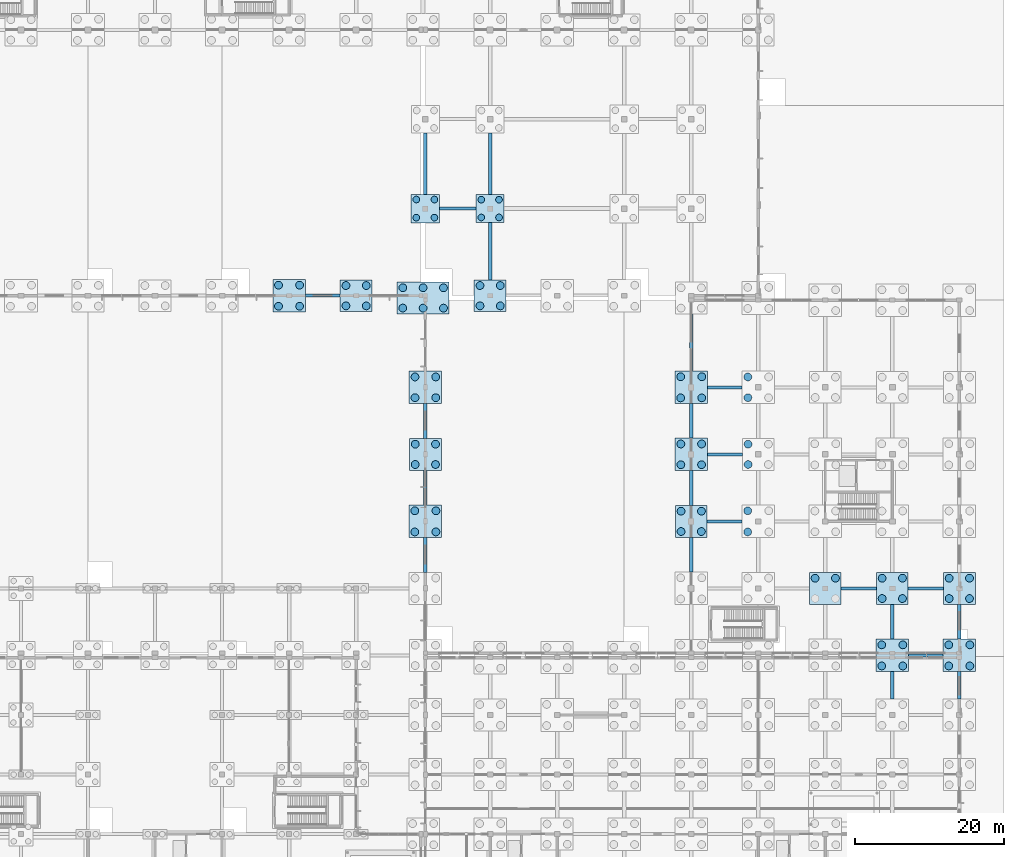
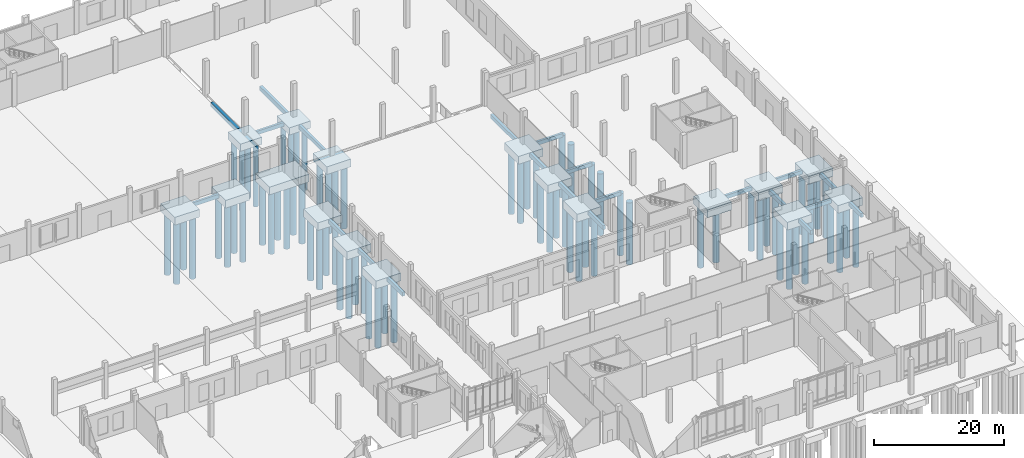
# One storey, part 18 of 99: 74 piles, 39 footings.
"""IFC4 building model written with IfcOpenShell, lengths in metres."""

from ifc_helpers import new_model, si_unit, direction, frame, origin, origin_2d, place, context, subcontext, project, spatial, rectangle, circle, extrude, material, layer, layer_set, material_profile, profile_set, type_object, element, save


model = new_model("IFC4")

# Units and contexts
model_context = context("Model", 3, precision=1e-05, world=origin(), true_north=direction((0.0, 1.0)))
body_context = subcontext(model_context, "Body", "Model", "MODEL_VIEW")
ifc_project = project(units=[si_unit("LENGTHUNIT", "METRE"), si_unit("AREAUNIT", "SQUARE_METRE"), si_unit("VOLUMEUNIT", "CUBIC_METRE"), si_unit("PLANEANGLEUNIT", "RADIAN"), si_unit("MASSUNIT", "GRAM", prefix="KILO")], contexts=[model_context])

# Site, building, storey
site_placement = place(None, origin())
site = spatial("IfcSite", under=ifc_project, at=site_placement, CompositionType="ELEMENT")
building_placement = place(site_placement, origin())
building = spatial("IfcBuilding", under=site, at=building_placement, Name="Zacnel Wholesale Market", CompositionType="ELEMENT")
storey_placement = place(building_placement, origin())
storey = spatial("IfcBuildingStorey", under=building, at=storey_placement, Name="L01", CompositionType="ELEMENT", Elevation=0.0)

# Footings
ifc_material_1 = material(Name="Concrete C35/45", Category="concrete")
ifc_material_profile_1 = material_profile(ifc_material_1, rectangle(XDim=0.39990234375, YDim=0.699951171875, at=origin_2d()), Name="CT 400x700")
ifc_profile_set_1 = profile_set([ifc_material_profile_1], Name="Concrete C35/45")
footing_type_1 = type_object("IfcFootingType", Name="FTG-CT400X700", PredefinedType="FOOTING_BEAM", material=ifc_profile_set_1)
footing_1_placement = place(storey_placement, frame((209.18994140625, 48.0, -0.85009765625), z_axis=(1.0, 0.0, 0.0), x_axis=(0.0, 1.0, 0.0)))
element("IfcFooting", 1, at=footing_1_placement, inside=storey, type_object=footing_type_1, Name="Ground tie beam CT-X-0380", PredefinedType="FOOTING_BEAM", context=body_context, shape_type="SweptSolid", body=[
    extrude(rectangle(XDim=0.39990234375, YDim=0.699951171875, at=origin_2d()), origin(), (0.0, 0.0, 1.0), 4.6201171875),
])
for number, where, z_axis, x_axis, name in (
    (2, (200.139892578125, 57.0, -0.85009765625), (1.0, 0.0, 0.0), (0.0, 1.0, 0.0), "Ground tie beam CT-X-0399"),
    (3, (209.139892578125, 57.0, -0.85009765625), (1.0, 0.0, 0.0), (0.0, 1.0, 0.0), "Ground tie beam CT-X-0400"),
):
    element("IfcFooting", number, at=place(storey_placement, frame(where, z_axis=z_axis, x_axis=x_axis)), inside=storey, type_object=footing_type_1, Name=name, PredefinedType="FOOTING_BEAM", context=body_context, shape_type="SweptSolid", body=[
        extrude(rectangle(XDim=0.39990234375, YDim=0.699951171875, at=origin_2d()), origin(), (0.0, 0.0, 1.0), 4.72021484375),
    ])
footing_2_placement = place(storey_placement, frame((182.139892578125, 66.0, -0.85009765625), z_axis=(1.0, 0.0, 0.0), x_axis=(0.0, 1.0, 0.0)))
element("IfcFooting", 4, at=footing_2_placement, inside=storey, type_object=footing_type_1, Name="Ground tie beam CT-X-0408", PredefinedType="FOOTING_BEAM", context=body_context, shape_type="SweptSolid", body=[
    extrude(rectangle(XDim=0.39990234375, YDim=0.699951171875, at=origin_2d()), origin(), (0.0, 0.0, 1.0), 4.670166015625),
])
footing_3_placement = place(storey_placement, frame((182.1650390625, 75.0, -0.85009765625), z_axis=(1.0, 0.0, 0.0), x_axis=(0.0, 1.0, 0.0)))
element("IfcFooting", 5, at=footing_3_placement, inside=storey, type_object=footing_type_1, Name="Ground tie beam CT-X-0417", PredefinedType="FOOTING_BEAM", context=body_context, shape_type="SweptSolid", body=[
    extrude(rectangle(XDim=0.39990234375, YDim=0.699951171875, at=origin_2d()), origin(), (0.0, 0.0, 1.0), 4.695068359375),
])
footing_4_placement = place(storey_placement, frame((182.18994140625, 84.0, -0.85009765625), z_axis=(1.0, 0.0, 0.0), x_axis=(0.0, 1.0, 0.0)))
element("IfcFooting", 6, at=footing_4_placement, inside=storey, type_object=footing_type_1, Name="Ground tie beam CT-X-0428", PredefinedType="FOOTING_BEAM", context=body_context, shape_type="SweptSolid", body=[
    extrude(rectangle(XDim=0.39990234375, YDim=0.699951171875, at=origin_2d()), origin(), (0.0, 0.0, 1.0), 4.64501953125),
])
footing_5_placement = place(storey_placement, frame((128.18994140625, 96.300048828125, -0.85009765625), z_axis=(1.0, 0.0, 0.0), x_axis=(0.0, 1.0, 0.0)))
element("IfcFooting", 7, at=footing_5_placement, inside=storey, type_object=footing_type_1, Name="Ground tie beam CT-X-0448", PredefinedType="FOOTING_BEAM", context=body_context, shape_type="SweptSolid", body=[
    extrude(rectangle(XDim=0.39990234375, YDim=0.699951171875, at=origin_2d()), origin(), (0.0, 0.0, 1.0), 4.670166015625),
])
footing_6_placement = place(storey_placement, frame((146.215087890625, 108.0, -0.85009765625), z_axis=(1.0, 0.0, 0.0), x_axis=(0.0, 1.0, 0.0)))
element("IfcFooting", 8, at=footing_6_placement, inside=storey, type_object=footing_type_1, Name="Ground tie beam CT-X-0458", PredefinedType="FOOTING_BEAM", context=body_context, shape_type="SweptSolid", body=[
    extrude(rectangle(XDim=0.39990234375, YDim=0.699951171875, at=origin_2d()), origin(), (0.0, 0.0, 1.0), 4.89501953125),
])
ifc_material_2 = material(Name="Concrete C35/45", Category="concrete")
ifc_material_profile_2 = material_profile(ifc_material_2, rectangle(XDim=0.449951171875, YDim=0.75, at=origin_2d()), Name="CT 450x750")
ifc_profile_set_2 = profile_set([ifc_material_profile_2], Name="Concrete C35/45")
footing_type_2 = type_object("IfcFootingType", Name="FTG-CT450X750", PredefinedType="FOOTING_BEAM", material=ifc_profile_set_2)
footing_7_placement = place(storey_placement, frame((144.300048828125, 59.1650390625, -0.875), z_axis=(0.0, 1.0, 0.0), x_axis=(-1.0, 0.0, 0.0)))
element("IfcFooting", 9, at=footing_7_placement, inside=storey, type_object=footing_type_2, Name="Ground tie beam CT-Y-0150", PredefinedType="FOOTING_BEAM", context=body_context, shape_type="SweptSolid", body=[
    extrude(rectangle(XDim=0.449951171875, YDim=0.75, at=origin_2d()), origin(), (0.0, 0.0, 1.0), 4.64501953125),
])
footing_8_placement = place(storey_placement, frame((144.300048828125, 68.18994140625, -0.875), z_axis=(0.0, 1.0, 0.0), x_axis=(-1.0, 0.0, 0.0)))
element("IfcFooting", 10, at=footing_8_placement, inside=storey, type_object=footing_type_2, Name="Ground tie beam CT-Y-0151", PredefinedType="FOOTING_BEAM", context=body_context, shape_type="SweptSolid", body=[
    extrude(rectangle(XDim=0.449951171875, YDim=0.75, at=origin_2d()), origin(), (0.0, 0.0, 1.0), 4.670166015625),
])
footing_9_placement = place(storey_placement, frame((144.300048828125, 77.139892578125, -0.875), z_axis=(0.0, 1.0, 0.0), x_axis=(-1.0, 0.0, 0.0)))
element("IfcFooting", 11, at=footing_9_placement, inside=storey, type_object=footing_type_2, Name="Ground tie beam CT-Y-0152", PredefinedType="FOOTING_BEAM", context=body_context, shape_type="SweptSolid", body=[
    extrude(rectangle(XDim=0.449951171875, YDim=0.75, at=origin_2d()), origin(), (0.0, 0.0, 1.0), 4.695068359375),
])
footing_10_placement = place(storey_placement, frame((153.0, 98.43994140625, -0.875), z_axis=(0.0, 1.0, 0.0), x_axis=(-1.0, 0.0, 0.0)))
element("IfcFooting", 12, at=footing_10_placement, inside=storey, type_object=footing_type_2, Name="Ground tie beam CT-Y-0160", PredefinedType="FOOTING_BEAM", context=body_context, shape_type="SweptSolid", body=[
    extrude(rectangle(XDim=0.449951171875, YDim=0.75, at=origin_2d()), origin(), (0.0, 0.0, 1.0), 7.670166015625),
])
footing_11_placement = place(storey_placement, frame((180.0, 59.18994140625, -0.875), z_axis=(0.0, 1.0, 0.0), x_axis=(-1.0, 0.0, 0.0)))
element("IfcFooting", 13, at=footing_11_placement, inside=storey, type_object=footing_type_2, Name="Ground tie beam CT-Y-0187", PredefinedType="FOOTING_BEAM", context=body_context, shape_type="SweptSolid", body=[
    extrude(rectangle(XDim=0.449951171875, YDim=0.75, at=origin_2d()), origin(), (0.0, 0.0, 1.0), 4.670166015625),
])
footing_12_placement = place(storey_placement, frame((180.0, 68.139892578125, -0.875), z_axis=(0.0, 1.0, 0.0), x_axis=(-1.0, 0.0, 0.0)))
element("IfcFooting", 14, at=footing_12_placement, inside=storey, type_object=footing_type_2, Name="Ground tie beam CT-Y-0188", PredefinedType="FOOTING_BEAM", context=body_context, shape_type="SweptSolid", body=[
    extrude(rectangle(XDim=0.449951171875, YDim=0.75, at=origin_2d()), origin(), (0.0, 0.0, 1.0), 4.695068359375),
])
footing_13_placement = place(storey_placement, frame((180.0, 77.1650390625, -0.875), z_axis=(0.0, 1.0, 0.0), x_axis=(-1.0, 0.0, 0.0)))
element("IfcFooting", 15, at=footing_13_placement, inside=storey, type_object=footing_type_2, Name="Ground tie beam CT-Y-0189", PredefinedType="FOOTING_BEAM", context=body_context, shape_type="SweptSolid", body=[
    extrude(rectangle(XDim=0.449951171875, YDim=0.75, at=origin_2d()), origin(), (0.0, 0.0, 1.0), 4.64501953125),
])
footing_14_placement = place(storey_placement, frame((180.0, 86.18994140625, -0.875), z_axis=(0.0, 1.0, 0.0), x_axis=(-1.0, 0.0, 0.0)))
element("IfcFooting", 16, at=footing_14_placement, inside=storey, type_object=footing_type_2, Name="Ground tie beam CT-Y-0190", PredefinedType="FOOTING_BEAM", context=body_context, shape_type="SweptSolid", body=[
    extrude(rectangle(XDim=0.449951171875, YDim=0.75, at=origin_2d()), origin(), (0.0, 0.0, 1.0), 7.670166015625),
])
footing_15_placement = place(storey_placement, frame((207.0, 42.1650390625, -0.875), z_axis=(0.0, 1.0, 0.0), x_axis=(-1.0, 0.0, 0.0)))
element("IfcFooting", 17, at=footing_15_placement, inside=storey, type_object=footing_type_2, Name="Ground tie beam CT-Y-0221", PredefinedType="FOOTING_BEAM", context=body_context, shape_type="SweptSolid", body=[
    extrude(rectangle(XDim=0.449951171875, YDim=0.75, at=origin_2d()), origin(), (0.0, 0.0, 1.0), 3.64501953125),
])
footing_16_placement = place(storey_placement, frame((207.0, 50.18994140625, -0.875), z_axis=(0.0, 1.0, 0.0), x_axis=(-1.0, 0.0, 0.0)))
element("IfcFooting", 18, at=footing_16_placement, inside=storey, type_object=footing_type_2, Name="Ground tie beam CT-Y-0222", PredefinedType="FOOTING_BEAM", context=body_context, shape_type="SweptSolid", body=[
    extrude(rectangle(XDim=0.449951171875, YDim=0.75, at=origin_2d()), origin(), (0.0, 0.0, 1.0), 4.670166015625),
])
footing_17_placement = place(storey_placement, frame((216.0, 42.1650390625, -0.875), z_axis=(0.0, 1.0, 0.0), x_axis=(-1.0, 0.0, 0.0)))
element("IfcFooting", 19, at=footing_17_placement, inside=storey, type_object=footing_type_2, Name="Ground tie beam CT-Y-0232", PredefinedType="FOOTING_BEAM", context=body_context, shape_type="SweptSolid", body=[
    extrude(rectangle(XDim=0.449951171875, YDim=0.75, at=origin_2d()), origin(), (0.0, 0.0, 1.0), 3.64501953125),
])
footing_18_placement = place(storey_placement, frame((216.0, 50.18994140625, -0.875), z_axis=(0.0, 1.0, 0.0), x_axis=(-1.0, 0.0, 0.0)))
element("IfcFooting", 20, at=footing_18_placement, inside=storey, type_object=footing_type_2, Name="Ground tie beam CT-Y-0233", PredefinedType="FOOTING_BEAM", context=body_context, shape_type="SweptSolid", body=[
    extrude(rectangle(XDim=0.449951171875, YDim=0.75, at=origin_2d()), origin(), (0.0, 0.0, 1.0), 4.670166015625),
])
ifc_material_3 = material(Name="Concrete C35/45", Category="concrete")
ifc_material_profile_3 = material_profile(ifc_material_3, rectangle(XDim=0.5, YDim=0.800048828125, at=origin_2d()), Name="CT 500x800")
ifc_profile_set_3 = profile_set([ifc_material_profile_3], Name="Concrete C35/45")
footing_type_3 = type_object("IfcFootingType", Name="FTG-CT500X800", PredefinedType="FOOTING_BEAM", material=ifc_profile_set_3)
footing_19_placement = place(storey_placement, frame((144.300048828125, 109.9150390625, -0.89990234375), z_axis=(0.0, 1.0, 0.0), x_axis=(-1.0, 0.0, 0.0)))
element("IfcFooting", 21, at=footing_19_placement, inside=storey, type_object=footing_type_3, Name="Ground tie beam CT-Y-0153", PredefinedType="FOOTING_BEAM", context=body_context, shape_type="SweptSolid", body=[
    extrude(rectangle(XDim=0.5, YDim=0.800048828125, at=origin_2d()), origin(), (0.0, 0.0, 1.0), 8.21484375),
])
footing_20_placement = place(storey_placement, frame((153.0, 109.889892578125, -0.89990234375), z_axis=(0.0, 1.0, 0.0), x_axis=(-1.0, 0.0, 0.0)))
element("IfcFooting", 22, at=footing_20_placement, inside=storey, type_object=footing_type_3, Name="Ground tie beam CT-Y-0161", PredefinedType="FOOTING_BEAM", context=body_context, shape_type="SweptSolid", body=[
    extrude(rectangle(XDim=0.5, YDim=0.800048828125, at=origin_2d()), origin(), (0.0, 0.0, 1.0), 8.239990234375),
])
ifc_material_4 = material(Name="Concrete C35/45", Category="concrete")
ifc_layer_1 = layer(ifc_material_4, 1.35009765625)
ifc_layer_set_1 = layer_set([ifc_layer_1], Name="Concrete C35/45")
footing_type_4 = type_object("IfcFootingType", Name="FTG-PC-3780X3780X1350", PredefinedType="PILE_CAP", material=ifc_layer_set_1)
footing_21_placement = place(storey_placement, frame((153.0, 108.0, -1.85009765625), z_axis=(0.0, 0.0, 1.0), x_axis=(1.0, 0.0, 0.0)))
element("IfcFooting", 23, at=footing_21_placement, inside=storey, type_object=footing_type_4, Name="Pile cap PC-04 (STR-PC-R2-XDR1)", PredefinedType="PILE_CAP", context=body_context, shape_type="SweptSolid", body=[
    extrude(rectangle(XDim=3.780029296875, YDim=3.780029296875, at=origin_2d()), origin(), (0.0, 0.0, 1.0), 1.35009765625),
])
ifc_material_5 = material(Name="Concrete C35/45", Category="concrete")
ifc_layer_2 = layer(ifc_material_5, 1.35009765625)
ifc_layer_set_2 = layer_set([ifc_layer_2], Name="Concrete C35/45")
footing_type_5 = type_object("IfcFootingType", Name="FTG-PC-3830X3830X1350", PredefinedType="PILE_CAP", material=ifc_layer_set_2)
footing_22_placement = place(storey_placement, frame((144.300048828125, 108.0, -1.85009765625), z_axis=(0.0, 0.0, 1.0), x_axis=(1.0, 0.0, 0.0)))
element("IfcFooting", 24, at=footing_22_placement, inside=storey, type_object=footing_type_5, Name="Pile cap PC-02 (STR-PC-R2-XDR5)", PredefinedType="PILE_CAP", context=body_context, shape_type="SweptSolid", body=[
    extrude(rectangle(XDim=3.830078125, YDim=3.830078125, at=origin_2d()), origin(), (0.0, 0.0, 1.0), 1.35009765625),
])
ifc_material_6 = material(Name="Concrete C35/45", Category="concrete")
ifc_layer_3 = layer(ifc_material_6, 1.449951171875)
ifc_layer_set_3 = layer_set([ifc_layer_3], Name="Concrete C35/45")
footing_type_6 = type_object("IfcFootingType", Name="FTG-PC-4280X4280X1450", PredefinedType="PILE_CAP", material=ifc_layer_set_3)
for number, where, z_axis, x_axis, name in (
    (25, (135.0, 96.300048828125, -1.9501953125), (0.0, 0.0, 1.0), (1.0, 0.0, 0.0), "Pile cap PC-16 (STR-PC-195)"),
    (26, (153.0, 96.300048828125, -1.9501953125), (0.0, 0.0, 1.0), (1.0, 0.0, 0.0), "Pile cap PC-16 (STR-PC-219)"),
    (27, (180.0, 66.0, -1.9501953125), (0.0, 0.0, 1.0), (1.0, 0.0, 0.0), "Pile cap PC-16 (STR-PC-249)"),
):
    element("IfcFooting", number, at=place(storey_placement, frame(where, z_axis=z_axis, x_axis=x_axis)), inside=storey, type_object=footing_type_6, Name=name, PredefinedType="PILE_CAP", context=body_context, shape_type="SweptSolid", body=[
        extrude(rectangle(XDim=4.280029296875, YDim=4.280029296875, at=origin_2d()), origin(), (0.0, 0.0, 1.0), 1.449951171875),
    ])
ifc_material_7 = material(Name="Concrete C35/45", Category="concrete")
ifc_layer_4 = layer(ifc_material_7, 1.5)
ifc_layer_set_4 = layer_set([ifc_layer_4], Name="Concrete C35/45")
footing_type_7 = type_object("IfcFootingType", Name="FTG-PC-4280X4280X1500", PredefinedType="PILE_CAP", material=ifc_layer_set_4)
for number, where, z_axis, x_axis, name in (
    (28, (144.300048828125, 75.0, -2.0), (0.0, 0.0, 1.0), (1.0, 0.0, 0.0), "Pile cap PC-15 (STR-PC-210)"),
    (29, (198.0, 57.0, -2.0), (0.0, 0.0, 1.0), (1.0, 0.0, 0.0), "Pile cap PC-15 (STR-PC-276)"),
    (30, (207.0, 57.0, -2.0), (0.0, 0.0, 1.0), (1.0, 0.0, 0.0), "Pile cap PC-15 (STR-PC-288)"),
    (31, (216.0, 57.0, -2.0), (0.0, 0.0, 1.0), (1.0, 0.0, 0.0), "Pile cap PC-15 (STR-PC-300)"),
):
    element("IfcFooting", number, at=place(storey_placement, frame(where, z_axis=z_axis, x_axis=x_axis)), inside=storey, type_object=footing_type_7, Name=name, PredefinedType="PILE_CAP", context=body_context, shape_type="SweptSolid", body=[
        extrude(rectangle(XDim=4.280029296875, YDim=4.280029296875, at=origin_2d()), origin(), (0.0, 0.0, 1.0), 1.5),
    ])
ifc_material_8 = material(Name="Concrete C35/45", Category="concrete")
ifc_layer_5 = layer(ifc_material_8, 1.449951171875)
ifc_layer_set_5 = layer_set([ifc_layer_5], Name="Concrete C35/45")
footing_type_8 = type_object("IfcFootingType", Name="FTG-PC-4330X4330X1450", PredefinedType="PILE_CAP", material=ifc_layer_set_5)
footing_23_placement = place(storey_placement, frame((144.300048828125, 84.0, -1.9501953125), z_axis=(0.0, 0.0, 1.0), x_axis=(1.0, 0.0, 0.0)))
element("IfcFooting", 32, at=footing_23_placement, inside=storey, type_object=footing_type_8, Name="Pile cap PC-19 (STR-PC-211)", PredefinedType="PILE_CAP", context=body_context, shape_type="SweptSolid", body=[
    extrude(rectangle(XDim=4.330078125, YDim=4.330078125, at=origin_2d()), origin(), (0.0, 0.0, 1.0), 1.449951171875),
])
ifc_material_9 = material(Name="Concrete C35/45", Category="concrete")
ifc_layer_6 = layer(ifc_material_9, 1.5)
ifc_layer_set_6 = layer_set([ifc_layer_6], Name="Concrete C35/45")
footing_type_9 = type_object("IfcFootingType", Name="FTG-PC-4330X4330X1500", PredefinedType="PILE_CAP", material=ifc_layer_set_6)
footing_24_placement = place(storey_placement, frame((180.0, 75.0, -2.0), z_axis=(0.0, 0.0, 1.0), x_axis=(1.0, 0.0, 0.0)))
element("IfcFooting", 33, at=footing_24_placement, inside=storey, type_object=footing_type_9, Name="Pile cap PC-17 (STR-PC-250)", PredefinedType="PILE_CAP", context=body_context, shape_type="SweptSolid", body=[
    extrude(rectangle(XDim=4.330078125, YDim=4.330078125, at=origin_2d()), origin(), (0.0, 0.0, 1.0), 1.5),
])
ifc_material_10 = material(Name="Concrete C35/45", Category="concrete")
ifc_layer_7 = layer(ifc_material_10, 1.449951171875)
ifc_layer_set_7 = layer_set([ifc_layer_7], Name="Concrete C35/45")
footing_type_10 = type_object("IfcFootingType", Name="FTG-PC-4380X4380X1450", PredefinedType="PILE_CAP", material=ifc_layer_set_7)
for number, where, z_axis, x_axis, name in (
    (34, (126.0, 96.300048828125, -1.9501953125), (0.0, 0.0, 1.0), (1.0, 0.0, 0.0), "Pile cap PC-14 (STR-PC-185)"),
    (35, (144.300048828125, 66.0, -1.9501953125), (0.0, 0.0, 1.0), (1.0, 0.0, 0.0), "Pile cap PC-14 (STR-PC-209)"),
    (36, (180.0, 84.0, -1.9501953125), (0.0, 0.0, 1.0), (1.0, 0.0, 0.0), "Pile cap PC-14 (STR-PC-251)"),
    (37, (207.0, 48.0, -1.9501953125), (0.0, 0.0, 1.0), (1.0, 0.0, 0.0), "Pile cap PC-14 (STR-PC-287)"),
    (38, (216.0, 48.0, -1.9501953125), (0.0, 0.0, 1.0), (1.0, 0.0, 0.0), "Pile cap PC-14 (STR-PC-299)"),
):
    element("IfcFooting", number, at=place(storey_placement, frame(where, z_axis=z_axis, x_axis=x_axis)), inside=storey, type_object=footing_type_10, Name=name, PredefinedType="PILE_CAP", context=body_context, shape_type="SweptSolid", body=[
        extrude(rectangle(XDim=4.3798828125, YDim=4.3798828125, at=origin_2d()), origin(), (0.0, 0.0, 1.0), 1.449951171875),
    ])
ifc_material_11 = material(Name="Concrete C35/45", Category="concrete")
ifc_layer_8 = layer(ifc_material_11, 1.449951171875)
ifc_layer_set_8 = layer_set([ifc_layer_8], Name="Concrete C35/45")
footing_type_11 = type_object("IfcFootingType", Name="FTG-PC-7010X4280X1450", PredefinedType="PILE_CAP", material=ifc_layer_set_8)
footing_25_placement = place(storey_placement, frame((144.0, 96.0, -1.9501953125), z_axis=(0.0, 0.0, 1.0), x_axis=(1.0, 0.0, 0.0)))
element("IfcFooting", 39, at=footing_25_placement, inside=storey, type_object=footing_type_11, Name="Pile cap PC-20 (STR-PC-201)", PredefinedType="PILE_CAP", context=body_context, shape_type="SweptSolid", body=[
    extrude(rectangle(XDim=7.010009765625, YDim=4.280029296875, at=origin_2d()), origin(), (0.0, 0.0, 1.0), 1.449951171875),
])

# Piles
ifc_material_12 = material(Name="Concrete C35/45", Category="concrete")
ifc_material_profile_4 = material_profile(ifc_material_12, circle(Radius=0.52490234375, at=origin_2d()), Name="BORED PILE D1050")
ifc_profile_set_4 = profile_set([ifc_material_profile_4], Name="Concrete C35/45")
pile_type_1 = type_object("IfcPileType", Name="PILE-BORED-1050", PredefinedType="BORED", material=ifc_profile_set_4)
for number, where, z_axis, x_axis, name in (
    (40, (124.58251953125, 94.882568359375, -1.85009765625), (0.0, 0.0, -1.0), (1.0, 0.0, 0.0), "Bored pile STR-PILE-185-01"),
    (41, (124.58251953125, 97.717529296875, -1.85009765625), (0.0, 0.0, -1.0), (1.0, 0.0, 0.0), "Bored pile STR-PILE-185-02"),
    (42, (127.41748046875, 94.882568359375, -1.85009765625), (0.0, 0.0, -1.0), (1.0, 0.0, 0.0), "Bored pile STR-PILE-185-03"),
    (43, (127.41748046875, 97.717529296875, -1.85009765625), (0.0, 0.0, -1.0), (1.0, 0.0, 0.0), "Bored pile STR-PILE-185-04"),
    (44, (133.635009765625, 94.93505859375, -1.85009765625), (0.0, 0.0, -1.0), (1.0, 0.0, 0.0), "Bored pile STR-PILE-195-01"),
    (45, (133.635009765625, 97.6650390625, -1.85009765625), (0.0, 0.0, -1.0), (1.0, 0.0, 0.0), "Bored pile STR-PILE-195-02"),
    (46, (136.364990234375, 94.93505859375, -1.85009765625), (0.0, 0.0, -1.0), (1.0, 0.0, 0.0), "Bored pile STR-PILE-195-03"),
    (47, (136.364990234375, 97.6650390625, -1.85009765625), (0.0, 0.0, -1.0), (1.0, 0.0, 0.0), "Bored pile STR-PILE-195-04"),
    (48, (141.27001953125, 94.635009765625, -1.85009765625), (0.0, 0.0, -1.0), (1.0, 0.0, 0.0), "Bored pile STR-PILE-201-01"),
    (49, (141.27001953125, 97.364990234375, -1.85009765625), (0.0, 0.0, -1.0), (1.0, 0.0, 0.0), "Bored pile STR-PILE-201-02"),
    (50, (144.0, 94.635009765625, -1.85009765625), (0.0, 0.0, -1.0), (1.0, 0.0, 0.0), "Bored pile STR-PILE-201-03"),
    (51, (144.0, 97.364990234375, -1.85009765625), (0.0, 0.0, -1.0), (1.0, 0.0, 0.0), "Bored pile STR-PILE-201-04"),
    (52, (146.72998046875, 94.635009765625, -1.85009765625), (0.0, 0.0, -1.0), (1.0, 0.0, 0.0), "Bored pile STR-PILE-201-05"),
    (53, (146.72998046875, 97.364990234375, -1.85009765625), (0.0, 0.0, -1.0), (1.0, 0.0, 0.0), "Bored pile STR-PILE-201-06"),
    (54, (142.882568359375, 64.58251953125, -1.85009765625), (0.0, 0.0, -1.0), (1.0, 0.0, 0.0), "Bored pile STR-PILE-209-01"),
    (55, (142.882568359375, 67.41748046875, -1.85009765625), (0.0, 0.0, -1.0), (1.0, 0.0, 0.0), "Bored pile STR-PILE-209-02"),
    (56, (145.717529296875, 64.58251953125, -1.85009765625), (0.0, 0.0, -1.0), (1.0, 0.0, 0.0), "Bored pile STR-PILE-209-03"),
    (57, (145.717529296875, 67.41748046875, -1.85009765625), (0.0, 0.0, -1.0), (1.0, 0.0, 0.0), "Bored pile STR-PILE-209-04"),
):
    element("IfcPile", number, at=place(storey_placement, frame(where, z_axis=z_axis, x_axis=x_axis)), inside=storey, type_object=pile_type_1, Name=name, PredefinedType="BORED", context=body_context, shape_type="SweptSolid", body=[
        extrude(circle(Radius=0.52490234375, at=origin_2d()), origin(), (0.0, 0.0, 1.0), 11.64990234375),
    ])
for number, where, z_axis, x_axis, name in (
    (58, (142.93505859375, 73.635009765625, -1.89990234375), (0.0, 0.0, -1.0), (1.0, 0.0, 0.0), "Bored pile STR-PILE-210-01"),
    (59, (142.93505859375, 76.364990234375, -1.89990234375), (0.0, 0.0, -1.0), (1.0, 0.0, 0.0), "Bored pile STR-PILE-210-02"),
    (60, (145.6650390625, 73.635009765625, -1.89990234375), (0.0, 0.0, -1.0), (1.0, 0.0, 0.0), "Bored pile STR-PILE-210-03"),
    (61, (145.6650390625, 76.364990234375, -1.89990234375), (0.0, 0.0, -1.0), (1.0, 0.0, 0.0), "Bored pile STR-PILE-210-04"),
):
    element("IfcPile", number, at=place(storey_placement, frame(where, z_axis=z_axis, x_axis=x_axis)), inside=storey, type_object=pile_type_1, Name=name, PredefinedType="BORED", context=body_context, shape_type="SweptSolid", body=[
        extrude(circle(Radius=0.52490234375, at=origin_2d()), origin(), (0.0, 0.0, 1.0), 11.60009765625),
    ])
for number, where, z_axis, x_axis, name in (
    (62, (142.908447265625, 82.6083984375, -1.85009765625), (0.0, 0.0, -1.0), (1.0, 0.0, 0.0), "Bored pile STR-PILE-211-01"),
    (63, (142.908447265625, 85.3916015625, -1.85009765625), (0.0, 0.0, -1.0), (1.0, 0.0, 0.0), "Bored pile STR-PILE-211-02"),
    (64, (145.69140625, 82.6083984375, -1.85009765625), (0.0, 0.0, -1.0), (1.0, 0.0, 0.0), "Bored pile STR-PILE-211-03"),
    (65, (145.69140625, 85.3916015625, -1.85009765625), (0.0, 0.0, -1.0), (1.0, 0.0, 0.0), "Bored pile STR-PILE-211-04"),
    (66, (151.635009765625, 94.93505859375, -1.85009765625), (0.0, 0.0, -1.0), (1.0, 0.0, 0.0), "Bored pile STR-PILE-219-01"),
    (67, (151.635009765625, 97.6650390625, -1.85009765625), (0.0, 0.0, -1.0), (1.0, 0.0, 0.0), "Bored pile STR-PILE-219-02"),
    (68, (154.364990234375, 94.93505859375, -1.85009765625), (0.0, 0.0, -1.0), (1.0, 0.0, 0.0), "Bored pile STR-PILE-219-03"),
    (69, (154.364990234375, 97.6650390625, -1.85009765625), (0.0, 0.0, -1.0), (1.0, 0.0, 0.0), "Bored pile STR-PILE-219-04"),
    (70, (178.635009765625, 64.635009765625, -1.85009765625), (0.0, 0.0, -1.0), (1.0, 0.0, 0.0), "Bored pile STR-PILE-249-01"),
    (71, (178.635009765625, 67.364990234375, -1.85009765625), (0.0, 0.0, -1.0), (1.0, 0.0, 0.0), "Bored pile STR-PILE-249-02"),
    (72, (181.364990234375, 64.635009765625, -1.85009765625), (0.0, 0.0, -1.0), (1.0, 0.0, 0.0), "Bored pile STR-PILE-249-03"),
    (73, (181.364990234375, 67.364990234375, -1.85009765625), (0.0, 0.0, -1.0), (1.0, 0.0, 0.0), "Bored pile STR-PILE-249-04"),
):
    element("IfcPile", number, at=place(storey_placement, frame(where, z_axis=z_axis, x_axis=x_axis)), inside=storey, type_object=pile_type_1, Name=name, PredefinedType="BORED", context=body_context, shape_type="SweptSolid", body=[
        extrude(circle(Radius=0.52490234375, at=origin_2d()), origin(), (0.0, 0.0, 1.0), 11.64990234375),
    ])
for number, where, z_axis, x_axis, name in (
    (74, (178.6083984375, 73.6083984375, -1.89990234375), (0.0, 0.0, -1.0), (1.0, 0.0, 0.0), "Bored pile STR-PILE-250-01"),
    (75, (178.6083984375, 76.3916015625, -1.89990234375), (0.0, 0.0, -1.0), (1.0, 0.0, 0.0), "Bored pile STR-PILE-250-02"),
    (76, (181.3916015625, 73.6083984375, -1.89990234375), (0.0, 0.0, -1.0), (1.0, 0.0, 0.0), "Bored pile STR-PILE-250-03"),
    (77, (181.3916015625, 76.3916015625, -1.89990234375), (0.0, 0.0, -1.0), (1.0, 0.0, 0.0), "Bored pile STR-PILE-250-04"),
):
    element("IfcPile", number, at=place(storey_placement, frame(where, z_axis=z_axis, x_axis=x_axis)), inside=storey, type_object=pile_type_1, Name=name, PredefinedType="BORED", context=body_context, shape_type="SweptSolid", body=[
        extrude(circle(Radius=0.52490234375, at=origin_2d()), origin(), (0.0, 0.0, 1.0), 11.60009765625),
    ])
for number, where, z_axis, x_axis, name in (
    (78, (178.58251953125, 82.58251953125, -1.85009765625), (0.0, 0.0, -1.0), (1.0, 0.0, 0.0), "Bored pile STR-PILE-251-01"),
    (79, (178.58251953125, 85.41748046875, -1.85009765625), (0.0, 0.0, -1.0), (1.0, 0.0, 0.0), "Bored pile STR-PILE-251-02"),
    (80, (181.41748046875, 82.58251953125, -1.85009765625), (0.0, 0.0, -1.0), (1.0, 0.0, 0.0), "Bored pile STR-PILE-251-03"),
    (81, (181.41748046875, 85.41748046875, -1.85009765625), (0.0, 0.0, -1.0), (1.0, 0.0, 0.0), "Bored pile STR-PILE-251-04"),
    (82, (187.58251953125, 64.58251953125, -1.85009765625), (0.0, 0.0, -1.0), (1.0, 0.0, 0.0), "Bored pile STR-PILE-263-01"),
    (83, (187.58251953125, 67.41748046875, -1.85009765625), (0.0, 0.0, -1.0), (1.0, 0.0, 0.0), "Bored pile STR-PILE-263-02"),
):
    element("IfcPile", number, at=place(storey_placement, frame(where, z_axis=z_axis, x_axis=x_axis)), inside=storey, type_object=pile_type_1, Name=name, PredefinedType="BORED", context=body_context, shape_type="SweptSolid", body=[
        extrude(circle(Radius=0.52490234375, at=origin_2d()), origin(), (0.0, 0.0, 1.0), 11.64990234375),
    ])
for number, where, z_axis, x_axis, name in (
    (84, (187.635009765625, 73.635009765625, -1.89990234375), (0.0, 0.0, -1.0), (1.0, 0.0, 0.0), "Bored pile STR-PILE-264-01"),
    (85, (187.635009765625, 76.364990234375, -1.89990234375), (0.0, 0.0, -1.0), (1.0, 0.0, 0.0), "Bored pile STR-PILE-264-02"),
):
    element("IfcPile", number, at=place(storey_placement, frame(where, z_axis=z_axis, x_axis=x_axis)), inside=storey, type_object=pile_type_1, Name=name, PredefinedType="BORED", context=body_context, shape_type="SweptSolid", body=[
        extrude(circle(Radius=0.52490234375, at=origin_2d()), origin(), (0.0, 0.0, 1.0), 11.60009765625),
    ])
for number, where, z_axis, x_axis, name in (
    (86, (187.6083984375, 82.6083984375, -1.85009765625), (0.0, 0.0, -1.0), (1.0, 0.0, 0.0), "Bored pile STR-PILE-265-01"),
    (87, (187.6083984375, 85.3916015625, -1.85009765625), (0.0, 0.0, -1.0), (1.0, 0.0, 0.0), "Bored pile STR-PILE-265-02"),
):
    element("IfcPile", number, at=place(storey_placement, frame(where, z_axis=z_axis, x_axis=x_axis)), inside=storey, type_object=pile_type_1, Name=name, PredefinedType="BORED", context=body_context, shape_type="SweptSolid", body=[
        extrude(circle(Radius=0.52490234375, at=origin_2d()), origin(), (0.0, 0.0, 1.0), 11.64990234375),
    ])
for number, where, z_axis, x_axis, name in (
    (88, (196.635009765625, 58.364990234375, -1.89990234375), (0.0, 0.0, -1.0), (1.0, 0.0, 0.0), "Bored pile STR-PILE-276-02"),
    (89, (199.364990234375, 58.364990234375, -1.89990234375), (0.0, 0.0, -1.0), (1.0, 0.0, 0.0), "Bored pile STR-PILE-276-04"),
):
    element("IfcPile", number, at=place(storey_placement, frame(where, z_axis=z_axis, x_axis=x_axis)), inside=storey, type_object=pile_type_1, Name=name, PredefinedType="BORED", context=body_context, shape_type="SweptSolid", body=[
        extrude(circle(Radius=0.52490234375, at=origin_2d()), origin(), (0.0, 0.0, 1.0), 11.60009765625),
    ])
for number, where, z_axis, x_axis, name in (
    (90, (205.58251953125, 46.58251953125, -1.85009765625), (0.0, 0.0, -1.0), (1.0, 0.0, 0.0), "Bored pile STR-PILE-287-01"),
    (91, (205.58251953125, 49.41748046875, -1.85009765625), (0.0, 0.0, -1.0), (1.0, 0.0, 0.0), "Bored pile STR-PILE-287-02"),
    (92, (208.41748046875, 46.58251953125, -1.85009765625), (0.0, 0.0, -1.0), (1.0, 0.0, 0.0), "Bored pile STR-PILE-287-03"),
    (93, (208.41748046875, 49.41748046875, -1.85009765625), (0.0, 0.0, -1.0), (1.0, 0.0, 0.0), "Bored pile STR-PILE-287-04"),
):
    element("IfcPile", number, at=place(storey_placement, frame(where, z_axis=z_axis, x_axis=x_axis)), inside=storey, type_object=pile_type_1, Name=name, PredefinedType="BORED", context=body_context, shape_type="SweptSolid", body=[
        extrude(circle(Radius=0.52490234375, at=origin_2d()), origin(), (0.0, 0.0, 1.0), 11.64990234375),
    ])
for number, where, z_axis, x_axis, name in (
    (94, (205.635009765625, 55.635009765625, -1.89990234375), (0.0, 0.0, -1.0), (1.0, 0.0, 0.0), "Bored pile STR-PILE-288-01"),
    (95, (205.635009765625, 58.364990234375, -1.89990234375), (0.0, 0.0, -1.0), (1.0, 0.0, 0.0), "Bored pile STR-PILE-288-02"),
    (96, (208.364990234375, 55.635009765625, -1.89990234375), (0.0, 0.0, -1.0), (1.0, 0.0, 0.0), "Bored pile STR-PILE-288-03"),
    (97, (208.364990234375, 58.364990234375, -1.89990234375), (0.0, 0.0, -1.0), (1.0, 0.0, 0.0), "Bored pile STR-PILE-288-04"),
):
    element("IfcPile", number, at=place(storey_placement, frame(where, z_axis=z_axis, x_axis=x_axis)), inside=storey, type_object=pile_type_1, Name=name, PredefinedType="BORED", context=body_context, shape_type="SweptSolid", body=[
        extrude(circle(Radius=0.52490234375, at=origin_2d()), origin(), (0.0, 0.0, 1.0), 11.60009765625),
    ])
for number, where, z_axis, x_axis, name in (
    (98, (214.58251953125, 46.58251953125, -1.85009765625), (0.0, 0.0, -1.0), (1.0, 0.0, 0.0), "Bored pile STR-PILE-299-01"),
    (99, (214.58251953125, 49.41748046875, -1.85009765625), (0.0, 0.0, -1.0), (1.0, 0.0, 0.0), "Bored pile STR-PILE-299-02"),
    (100, (217.41748046875, 46.58251953125, -1.85009765625), (0.0, 0.0, -1.0), (1.0, 0.0, 0.0), "Bored pile STR-PILE-299-03"),
    (101, (217.41748046875, 49.41748046875, -1.85009765625), (0.0, 0.0, -1.0), (1.0, 0.0, 0.0), "Bored pile STR-PILE-299-04"),
):
    element("IfcPile", number, at=place(storey_placement, frame(where, z_axis=z_axis, x_axis=x_axis)), inside=storey, type_object=pile_type_1, Name=name, PredefinedType="BORED", context=body_context, shape_type="SweptSolid", body=[
        extrude(circle(Radius=0.52490234375, at=origin_2d()), origin(), (0.0, 0.0, 1.0), 11.64990234375),
    ])
for number, where, z_axis, x_axis, name in (
    (102, (214.635009765625, 55.635009765625, -1.89990234375), (0.0, 0.0, -1.0), (1.0, 0.0, 0.0), "Bored pile STR-PILE-300-01"),
    (103, (214.635009765625, 58.364990234375, -1.89990234375), (0.0, 0.0, -1.0), (1.0, 0.0, 0.0), "Bored pile STR-PILE-300-02"),
    (104, (217.364990234375, 55.635009765625, -1.89990234375), (0.0, 0.0, -1.0), (1.0, 0.0, 0.0), "Bored pile STR-PILE-300-03"),
    (105, (217.364990234375, 58.364990234375, -1.89990234375), (0.0, 0.0, -1.0), (1.0, 0.0, 0.0), "Bored pile STR-PILE-300-04"),
):
    element("IfcPile", number, at=place(storey_placement, frame(where, z_axis=z_axis, x_axis=x_axis)), inside=storey, type_object=pile_type_1, Name=name, PredefinedType="BORED", context=body_context, shape_type="SweptSolid", body=[
        extrude(circle(Radius=0.52490234375, at=origin_2d()), origin(), (0.0, 0.0, 1.0), 11.60009765625),
    ])
ifc_material_13 = material(Name="Concrete C35/45", Category="concrete")
ifc_material_profile_5 = material_profile(ifc_material_13, circle(Radius=0.449951171875, at=origin_2d()), Name="BORED PILE D900")
ifc_profile_set_5 = profile_set([ifc_material_profile_5], Name="Concrete C35/45")
pile_type_2 = type_object("IfcPileType", Name="PILE-BORED-900", PredefinedType="BORED", material=ifc_profile_set_5)
for number, where, z_axis, x_axis, name in (
    (106, (151.8076171875, 106.8076171875, -1.75), (0.0, 0.0, -1.0), (1.0, 0.0, 0.0), "Bored pile STR-PILE-R2-XDR1-01"),
    (107, (151.8076171875, 109.1923828125, -1.75), (0.0, 0.0, -1.0), (1.0, 0.0, 0.0), "Bored pile STR-PILE-R2-XDR1-02"),
    (108, (154.1923828125, 106.8076171875, -1.75), (0.0, 0.0, -1.0), (1.0, 0.0, 0.0), "Bored pile STR-PILE-R2-XDR1-03"),
    (109, (154.1923828125, 109.1923828125, -1.75), (0.0, 0.0, -1.0), (1.0, 0.0, 0.0), "Bored pile STR-PILE-R2-XDR1-04"),
    (110, (143.0849609375, 106.784912109375, -1.75), (0.0, 0.0, -1.0), (1.0, 0.0, 0.0), "Bored pile STR-PILE-R2-XDR5-01"),
    (111, (143.0849609375, 109.215087890625, -1.75), (0.0, 0.0, -1.0), (1.0, 0.0, 0.0), "Bored pile STR-PILE-R2-XDR5-02"),
    (112, (145.514892578125, 106.784912109375, -1.75), (0.0, 0.0, -1.0), (1.0, 0.0, 0.0), "Bored pile STR-PILE-R2-XDR5-03"),
    (113, (145.514892578125, 109.215087890625, -1.75), (0.0, 0.0, -1.0), (1.0, 0.0, 0.0), "Bored pile STR-PILE-R2-XDR5-04"),
):
    element("IfcPile", number, at=place(storey_placement, frame(where, z_axis=z_axis, x_axis=x_axis)), inside=storey, type_object=pile_type_2, Name=name, PredefinedType="BORED", context=body_context, shape_type="SweptSolid", body=[
        extrude(circle(Radius=0.449951171875, at=origin_2d()), origin(), (0.0, 0.0, 1.0), 11.75),
    ])

save(model, "model.ifc")
